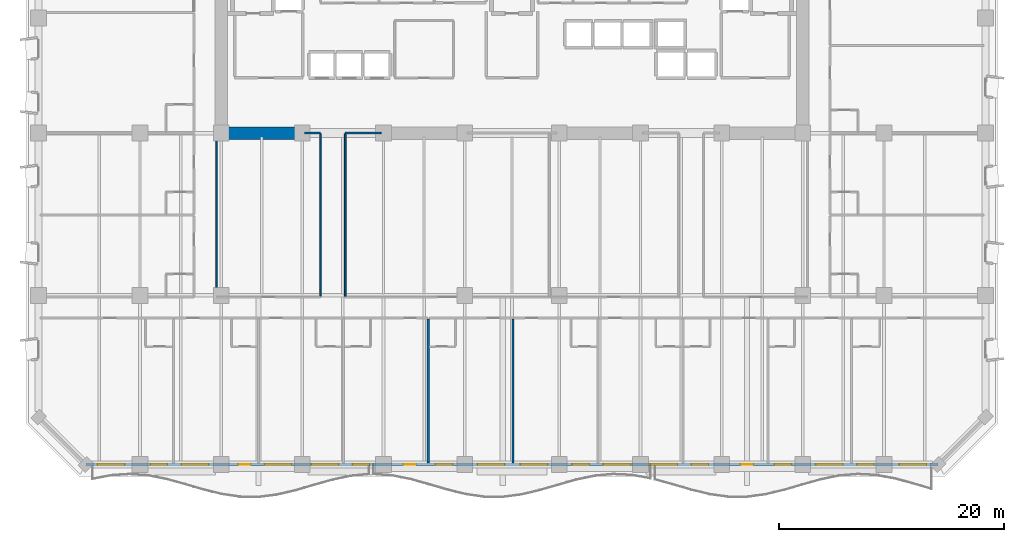
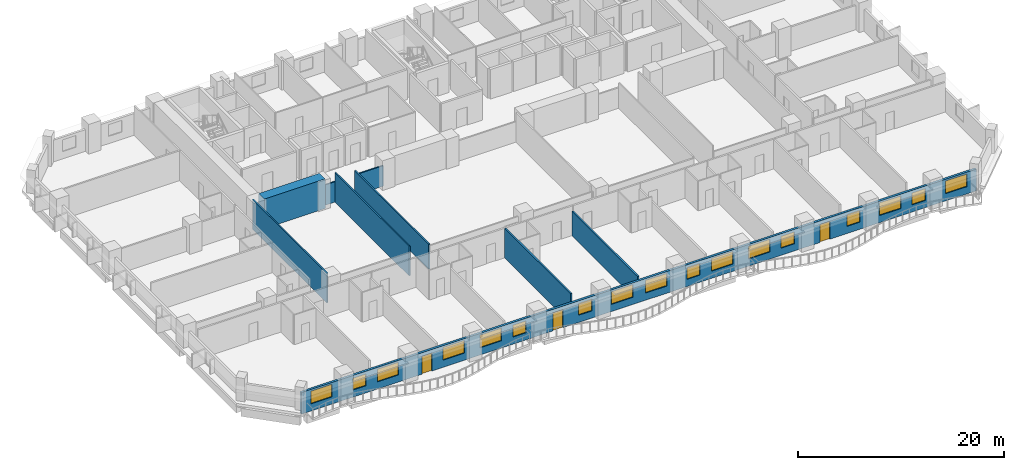
# One storey, part 5 of 15: 17 windows, 9 walls, 3 doors, 20 openings.
"""IFC4 building model written with IfcOpenShell, lengths in metres."""

from ifc_helpers import new_model, si_unit, direction, frame, frame_2d, origin, place, context, subcontext, project, spatial, rectangle, extrude, material, layer, layer_set, type_object, element, fill, save


model = new_model("IFC4")

# Units and contexts
model_context = context("Model", 3, precision=1e-05, world=origin(), true_north=direction((0.0, 1.0)))
body_context = subcontext(model_context, "Body", "Model", "MODEL_VIEW")
ifc_project = project(units=[si_unit("LENGTHUNIT", "METRE"), si_unit("AREAUNIT", "SQUARE_METRE"), si_unit("VOLUMEUNIT", "CUBIC_METRE"), si_unit("PLANEANGLEUNIT", "RADIAN"), si_unit("MASSUNIT", "GRAM", prefix="KILO")], contexts=[model_context])

# Site, building, storey
site_placement = place(None, origin())
site = spatial("IfcSite", under=ifc_project, at=site_placement, CompositionType="ELEMENT")
building_placement = place(site_placement, origin())
building = spatial("IfcBuilding", under=site, at=building_placement, Name="Kaelvorn Grand Hotel", CompositionType="ELEMENT")
storey_placement = place(building_placement, frame((0.0, 0.0, 61.39990234375)))
storey = spatial("IfcBuildingStorey", under=building, at=storey_placement, Name="L13", CompositionType="ELEMENT", Elevation=61.39990234375)

# Wall
ifc_material_1 = material(Name="Concrete C80/95", Category="concrete")
ifc_layer_1 = layer(ifc_material_1, 1.10009765625)
ifc_layer_set_1 = layer_set([ifc_layer_1], Name="Concrete C80/95")
wall_type_1 = type_object("IfcWallType", Name="WL-CORE-1100-C80", PredefinedType="SHEAR", material=ifc_layer_set_1)
wall_1_placement = place(storey_placement, frame((16.7548828125, 29.39990234375, 0.0), z_axis=(0.0, 0.0, 1.0), x_axis=(1.0, 0.0, 0.0)))
element("IfcWall", 1, at=wall_1_placement, inside=storey, type_object=wall_type_1, Name="L13 Rear-Core Coupled Shear Pier S1", PredefinedType="SHEAR", context=body_context, shape_type="SweptSolid", body=[
    extrude(rectangle(XDim=6.84521484375, YDim=1.10009765625, at=frame_2d((3.422607421875, 0.0))), origin(), (0.0, 0.0, 1.0), 3.510009765625),
])

# Wall, openings, doors, windows
ifc_material_2 = material(Name="Concrete C40/50", Category="concrete")
ifc_layer_2 = layer(ifc_material_2, 0.260009765625)
ifc_layer_set_2 = layer_set([ifc_layer_2], Name="Concrete C40/50")
wall_type_2 = type_object("IfcWallType", Name="WL-EXT-260-C40", PredefinedType="SOLIDWALL", material=ifc_layer_set_2)
wall_2_placement = place(storey_placement, frame((4.199951171875, 0.0, 0.0), z_axis=(0.0, 0.0, 1.0), x_axis=(1.0, 0.0, 0.0)))
wall_2 = element("IfcWall", 2, at=wall_2_placement, inside=storey, type_object=wall_type_2, Name="L13 Exterior Architectural Concrete Wall 01", PredefinedType="SOLIDWALL", context=body_context, shape_type="SweptSolid", body=[
    extrude(rectangle(XDim=75.60009765625, YDim=0.260009765625, at=frame_2d((37.800048828125, 0.0))), origin(), (0.0, 0.0, 1.0), 2.56005859375),
])
opening_1_placement = place(wall_2_placement, frame((13.5166015625, 0.0, 0.0)))
opening_1 = element("IfcOpeningElement", 3, at=opening_1_placement, cuts=wall_2, Name="Opening DE2", PredefinedType="OPENING", context=body_context, shape_type="SweptSolid", body=[
    extrude(rectangle(XDim=1.10009765625, YDim=2.14990234375, at=frame_2d((0.550048828125, 1.074951171875))), frame((0.0, 0.14013671875, 0.0), z_axis=(0.0, -1.0, 0.0), x_axis=(1.0, 0.0, 0.0)), (0.0, 0.0, 1.0), 0.280029296875),
])
opening_2_placement = place(wall_2_placement, frame((28.183349609375, 0.0, 0.0)))
opening_2 = element("IfcOpeningElement", 4, at=opening_2_placement, cuts=wall_2, Name="Opening DE2", PredefinedType="OPENING", context=body_context, shape_type="SweptSolid", body=[
    extrude(rectangle(XDim=1.10009765625, YDim=2.14990234375, at=frame_2d((0.550048828125, 1.074951171875))), frame((0.0, 0.14013671875, 0.0), z_axis=(0.0, -1.0, 0.0), x_axis=(1.0, 0.0, 0.0)), (0.0, 0.0, 1.0), 0.280029296875),
])
opening_3_placement = place(wall_2_placement, frame((58.094482421875, 0.0, 0.0)))
opening_3 = element("IfcOpeningElement", 5, at=opening_3_placement, cuts=wall_2, Name="Opening DE2", PredefinedType="OPENING", context=body_context, shape_type="SweptSolid", body=[
    extrude(rectangle(XDim=1.10009765625, YDim=2.14990234375, at=frame_2d((0.550048828125, 1.074951171875))), frame((0.0, 0.14013671875, 0.0), z_axis=(0.0, -1.0, 0.0), x_axis=(1.0, 0.0, 0.0)), (0.0, 0.0, 1.0), 0.280029296875),
])
opening_4_placement = place(wall_2_placement, frame((1.034912109375, 0.0, 0.85009765625)))
opening_4 = element("IfcOpeningElement", 6, at=opening_4_placement, cuts=wall_2, Name="Opening W6", PredefinedType="OPENING", context=body_context, shape_type="SweptSolid", body=[
    extrude(rectangle(XDim=2.39990234375, YDim=1.5, at=frame_2d((1.199951171875, 0.75))), frame((0.0, 0.14013671875, 0.0), z_axis=(0.0, -1.0, 0.0), x_axis=(1.0, 0.0, 0.0)), (0.0, 0.0, 1.0), 0.280029296875),
])
opening_5_placement = place(wall_2_placement, frame((5.739990234375, 0.0, 0.85009765625)))
opening_5 = element("IfcOpeningElement", 7, at=opening_5_placement, cuts=wall_2, Name="Opening W10", PredefinedType="OPENING", context=body_context, shape_type="SweptSolid", body=[
    extrude(rectangle(XDim=1.5, YDim=1.39990234375, at=frame_2d((0.75, 0.699951171875))), frame((0.0, 0.14013671875, 0.0), z_axis=(0.0, -1.0, 0.0), x_axis=(1.0, 0.0, 0.0)), (0.0, 0.0, 1.0), 0.280029296875),
])
opening_6_placement = place(wall_2_placement, frame((8.489990234375, 0.0, 0.85009765625)))
opening_6 = element("IfcOpeningElement", 8, at=opening_6_placement, cuts=wall_2, Name="Opening W6", PredefinedType="OPENING", context=body_context, shape_type="SweptSolid", body=[
    extrude(rectangle(XDim=2.39990234375, YDim=1.5, at=frame_2d((1.199951171875, 0.75))), frame((0.0, 0.14013671875, 0.0), z_axis=(0.0, -1.0, 0.0), x_axis=(1.0, 0.0, 0.0)), (0.0, 0.0, 1.0), 0.280029296875),
])
opening_7_placement = place(wall_2_placement, frame((15.85498046875, 0.0, 0.85009765625)))
opening_7 = element("IfcOpeningElement", 9, at=opening_7_placement, cuts=wall_2, Name="Opening W6", PredefinedType="OPENING", context=body_context, shape_type="SweptSolid", body=[
    extrude(rectangle(XDim=2.39990234375, YDim=1.5, at=frame_2d((1.199951171875, 0.75))), frame((0.0, 0.14013671875, 0.0), z_axis=(0.0, -1.0, 0.0), x_axis=(1.0, 0.0, 0.0)), (0.0, 0.0, 1.0), 0.280029296875),
])
opening_8_placement = place(wall_2_placement, frame((20.02001953125, 0.0, 0.85009765625)))
opening_8 = element("IfcOpeningElement", 10, at=opening_8_placement, cuts=wall_2, Name="Opening W6", PredefinedType="OPENING", context=body_context, shape_type="SweptSolid", body=[
    extrude(rectangle(XDim=2.39990234375, YDim=1.5, at=frame_2d((1.199951171875, 0.75))), frame((0.0, 0.14013671875, 0.0), z_axis=(0.0, -1.0, 0.0), x_axis=(1.0, 0.0, 0.0)), (0.0, 0.0, 1.0), 0.280029296875),
])
opening_9_placement = place(wall_2_placement, frame((23.669921875, 0.0, 0.85009765625)))
opening_9 = element("IfcOpeningElement", 11, at=opening_9_placement, cuts=wall_2, Name="Opening W10", PredefinedType="OPENING", context=body_context, shape_type="SweptSolid", body=[
    extrude(rectangle(XDim=1.5, YDim=1.39990234375, at=frame_2d((0.75, 0.699951171875))), frame((0.0, 0.14013671875, 0.0), z_axis=(0.0, -1.0, 0.0), x_axis=(1.0, 0.0, 0.0)), (0.0, 0.0, 1.0), 0.280029296875),
])
opening_10_placement = place(wall_2_placement, frame((31.034912109375, 0.0, 0.85009765625)))
opening_10 = element("IfcOpeningElement", 12, at=opening_10_placement, cuts=wall_2, Name="Opening W10", PredefinedType="OPENING", context=body_context, shape_type="SweptSolid", body=[
    extrude(rectangle(XDim=1.5, YDim=1.39990234375, at=frame_2d((0.75, 0.699951171875))), frame((0.0, 0.14013671875, 0.0), z_axis=(0.0, -1.0, 0.0), x_axis=(1.0, 0.0, 0.0)), (0.0, 0.0, 1.0), 0.280029296875),
])
opening_11_placement = place(wall_2_placement, frame((34.75, 0.0, 0.85009765625)))
opening_11 = element("IfcOpeningElement", 13, at=opening_11_placement, cuts=wall_2, Name="Opening W6", PredefinedType="OPENING", context=body_context, shape_type="SweptSolid", body=[
    extrude(rectangle(XDim=2.39990234375, YDim=1.5, at=frame_2d((1.199951171875, 0.75))), frame((0.0, 0.14013671875, 0.0), z_axis=(0.0, -1.0, 0.0), x_axis=(1.0, 0.0, 0.0)), (0.0, 0.0, 1.0), 0.280029296875),
])
opening_12_placement = place(wall_2_placement, frame((38.550048828125, 0.0, 0.85009765625)))
opening_12 = element("IfcOpeningElement", 14, at=opening_12_placement, cuts=wall_2, Name="Opening W6", PredefinedType="OPENING", context=body_context, shape_type="SweptSolid", body=[
    extrude(rectangle(XDim=2.39990234375, YDim=1.5, at=frame_2d((1.199951171875, 0.75))), frame((0.0, 0.14013671875, 0.0), z_axis=(0.0, -1.0, 0.0), x_axis=(1.0, 0.0, 0.0)), (0.0, 0.0, 1.0), 0.280029296875),
])
opening_13_placement = place(wall_2_placement, frame((43.1650390625, 0.0, 0.85009765625)))
opening_13 = element("IfcOpeningElement", 15, at=opening_13_placement, cuts=wall_2, Name="Opening W10", PredefinedType="OPENING", context=body_context, shape_type="SweptSolid", body=[
    extrude(rectangle(XDim=1.5, YDim=1.39990234375, at=frame_2d((0.75, 0.699951171875))), frame((0.0, 0.14013671875, 0.0), z_axis=(0.0, -1.0, 0.0), x_axis=(1.0, 0.0, 0.0)), (0.0, 0.0, 1.0), 0.280029296875),
])
opening_14_placement = place(wall_2_placement, frame((45.9150390625, 0.0, 0.85009765625)))
opening_14 = element("IfcOpeningElement", 16, at=opening_14_placement, cuts=wall_2, Name="Opening W6", PredefinedType="OPENING", context=body_context, shape_type="SweptSolid", body=[
    extrude(rectangle(XDim=2.39990234375, YDim=1.5, at=frame_2d((1.199951171875, 0.75))), frame((0.0, 0.14013671875, 0.0), z_axis=(0.0, -1.0, 0.0), x_axis=(1.0, 0.0, 0.0)), (0.0, 0.0, 1.0), 0.280029296875),
])
opening_15_placement = place(wall_2_placement, frame((50.08056640625, 0.0, 0.85009765625)))
opening_15 = element("IfcOpeningElement", 17, at=opening_15_placement, cuts=wall_2, Name="Opening W6", PredefinedType="OPENING", context=body_context, shape_type="SweptSolid", body=[
    extrude(rectangle(XDim=2.39990234375, YDim=1.5, at=frame_2d((1.199951171875, 0.75))), frame((0.0, 0.14013671875, 0.0), z_axis=(0.0, -1.0, 0.0), x_axis=(1.0, 0.0, 0.0)), (0.0, 0.0, 1.0), 0.280029296875),
])
opening_16_placement = place(wall_2_placement, frame((53.73046875, 0.0, 0.85009765625)))
opening_16 = element("IfcOpeningElement", 18, at=opening_16_placement, cuts=wall_2, Name="Opening W10", PredefinedType="OPENING", context=body_context, shape_type="SweptSolid", body=[
    extrude(rectangle(XDim=1.5, YDim=1.39990234375, at=frame_2d((0.75, 0.699951171875))), frame((0.0, 0.14013671875, 0.0), z_axis=(0.0, -1.0, 0.0), x_axis=(1.0, 0.0, 0.0)), (0.0, 0.0, 1.0), 0.280029296875),
])
opening_17_placement = place(wall_2_placement, frame((61.095458984375, 0.0, 0.85009765625)))
opening_17 = element("IfcOpeningElement", 19, at=opening_17_placement, cuts=wall_2, Name="Opening W10", PredefinedType="OPENING", context=body_context, shape_type="SweptSolid", body=[
    extrude(rectangle(XDim=1.5, YDim=1.39990234375, at=frame_2d((0.75, 0.699951171875))), frame((0.0, 0.14013671875, 0.0), z_axis=(0.0, -1.0, 0.0), x_axis=(1.0, 0.0, 0.0)), (0.0, 0.0, 1.0), 0.280029296875),
])
opening_18_placement = place(wall_2_placement, frame((64.760009765625, 0.0, 0.85009765625)))
opening_18 = element("IfcOpeningElement", 20, at=opening_18_placement, cuts=wall_2, Name="Opening W6", PredefinedType="OPENING", context=body_context, shape_type="SweptSolid", body=[
    extrude(rectangle(XDim=2.39990234375, YDim=1.5, at=frame_2d((1.199951171875, 0.75))), frame((0.0, 0.14013671875, 0.0), z_axis=(0.0, -1.0, 0.0), x_axis=(1.0, 0.0, 0.0)), (0.0, 0.0, 1.0), 0.280029296875),
])
opening_19_placement = place(wall_2_placement, frame((68.409912109375, 0.0, 0.85009765625)))
opening_19 = element("IfcOpeningElement", 21, at=opening_19_placement, cuts=wall_2, Name="Opening W10", PredefinedType="OPENING", context=body_context, shape_type="SweptSolid", body=[
    extrude(rectangle(XDim=1.5, YDim=1.39990234375, at=frame_2d((0.75, 0.699951171875))), frame((0.0, 0.14013671875, 0.0), z_axis=(0.0, -1.0, 0.0), x_axis=(1.0, 0.0, 0.0)), (0.0, 0.0, 1.0), 0.280029296875),
])
opening_20_placement = place(wall_2_placement, frame((72.1650390625, 0.0, 0.85009765625)))
opening_20 = element("IfcOpeningElement", 22, at=opening_20_placement, cuts=wall_2, Name="Opening W6", PredefinedType="OPENING", context=body_context, shape_type="SweptSolid", body=[
    extrude(rectangle(XDim=2.39990234375, YDim=1.5, at=frame_2d((1.199951171875, 0.75))), frame((0.0, 0.14013671875, 0.0), z_axis=(0.0, -1.0, 0.0), x_axis=(1.0, 0.0, 0.0)), (0.0, 0.0, 1.0), 0.280029296875),
])
ifc_material_3 = material(Name="Anodised Aluminium", Category="aluminium")
door_type = type_object("IfcDoorType", Name="DR-EXT-BALC-1100x2150", OperationType="NOTDEFINED", PredefinedType="DOOR", material=ifc_material_3)
door_1_placement = place(opening_1_placement, origin())
door_1 = element("IfcDoor", 23, at=door_1_placement, inside=storey, type_object=door_type, Name="L13 Scalloped Balcony Glazed Door DE2-1", OperationType="SINGLE_SWING_RIGHT", OverallHeight=2.14990234375, OverallWidth=1.10009765625, PredefinedType="DOOR", context=body_context, shape_type="SweptSolid", body=[
    extrude(rectangle(XDim=1.10009765625, YDim=2.14990234375, at=frame_2d((0.550048828125, 1.074951171875))), frame((0.0, 0.02490234375, 0.0), z_axis=(0.0, -1.0, 0.0), x_axis=(1.0, 0.0, 0.0)), (0.0, 0.0, 1.0), 0.050048828125),
])
fill(opening_1, door_1)
door_2_placement = place(opening_2_placement, origin())
door_2 = element("IfcDoor", 24, at=door_2_placement, inside=storey, type_object=door_type, Name="L13 Scalloped Balcony Glazed Door DE2-2", OperationType="SINGLE_SWING_LEFT", OverallHeight=2.14990234375, OverallWidth=1.10009765625, PredefinedType="DOOR", context=body_context, shape_type="SweptSolid", body=[
    extrude(rectangle(XDim=1.10009765625, YDim=2.14990234375, at=frame_2d((0.550048828125, 1.074951171875))), frame((0.0, 0.02490234375, 0.0), z_axis=(0.0, -1.0, 0.0), x_axis=(1.0, 0.0, 0.0)), (0.0, 0.0, 1.0), 0.050048828125),
])
fill(opening_2, door_2)
door_3_placement = place(opening_3_placement, origin())
door_3 = element("IfcDoor", 25, at=door_3_placement, inside=storey, type_object=door_type, Name="L13 Scalloped Balcony Glazed Door DE2-3", OperationType="SINGLE_SWING_RIGHT", OverallHeight=2.14990234375, OverallWidth=1.10009765625, PredefinedType="DOOR", context=body_context, shape_type="SweptSolid", body=[
    extrude(rectangle(XDim=1.10009765625, YDim=2.14990234375, at=frame_2d((0.550048828125, 1.074951171875))), frame((0.0, 0.02490234375, 0.0), z_axis=(0.0, -1.0, 0.0), x_axis=(1.0, 0.0, 0.0)), (0.0, 0.0, 1.0), 0.050048828125),
])
fill(opening_3, door_3)
ifc_material_4 = material(Name="Laminated Low-E Glass", Category="glass")
window_type_1 = type_object("IfcWindowType", Name="WIN-COR-1500x1400", PartitioningType="SINGLE_PANEL", PredefinedType="WINDOW", material=ifc_material_4)
window_1_placement = place(opening_5_placement, origin())
window_1 = element("IfcWindow", 26, at=window_1_placement, inside=storey, type_object=window_type_1, Name="L13 South Guestroom Ribbon Window SR02", OverallHeight=1.39990234375, OverallWidth=1.5, PartitioningType="SINGLE_PANEL", PredefinedType="WINDOW", context=body_context, shape_type="SweptSolid", body=[
    extrude(rectangle(XDim=1.5, YDim=1.39990234375, at=frame_2d((0.75, 0.699951171875))), frame((0.0, 0.030029296875, 0.0), z_axis=(0.0, -1.0, 0.0), x_axis=(1.0, 0.0, 0.0)), (0.0, 0.0, 1.0), 0.06005859375),
])
fill(opening_5, window_1)
window_2_placement = place(opening_9_placement, origin())
window_2 = element("IfcWindow", 27, at=window_2_placement, inside=storey, type_object=window_type_1, Name="L13 South Guestroom Ribbon Window SR06", OverallHeight=1.39990234375, OverallWidth=1.5, PartitioningType="SINGLE_PANEL", PredefinedType="WINDOW", context=body_context, shape_type="SweptSolid", body=[
    extrude(rectangle(XDim=1.5, YDim=1.39990234375, at=frame_2d((0.75, 0.699951171875))), frame((0.0, 0.030029296875, 0.0), z_axis=(0.0, -1.0, 0.0), x_axis=(1.0, 0.0, 0.0)), (0.0, 0.0, 1.0), 0.06005859375),
])
fill(opening_9, window_2)
window_3_placement = place(opening_10_placement, origin())
window_3 = element("IfcWindow", 28, at=window_3_placement, inside=storey, type_object=window_type_1, Name="L13 South Guestroom Ribbon Window SR07", OverallHeight=1.39990234375, OverallWidth=1.5, PartitioningType="SINGLE_PANEL", PredefinedType="WINDOW", context=body_context, shape_type="SweptSolid", body=[
    extrude(rectangle(XDim=1.5, YDim=1.39990234375, at=frame_2d((0.75, 0.699951171875))), frame((0.0, 0.030029296875, 0.0), z_axis=(0.0, -1.0, 0.0), x_axis=(1.0, 0.0, 0.0)), (0.0, 0.0, 1.0), 0.06005859375),
])
fill(opening_10, window_3)
window_4_placement = place(opening_13_placement, origin())
window_4 = element("IfcWindow", 29, at=window_4_placement, inside=storey, type_object=window_type_1, Name="L13 South Guestroom Ribbon Window SR10", OverallHeight=1.39990234375, OverallWidth=1.5, PartitioningType="SINGLE_PANEL", PredefinedType="WINDOW", context=body_context, shape_type="SweptSolid", body=[
    extrude(rectangle(XDim=1.5, YDim=1.39990234375, at=frame_2d((0.75, 0.699951171875))), frame((0.0, 0.030029296875, 0.0), z_axis=(0.0, -1.0, 0.0), x_axis=(1.0, 0.0, 0.0)), (0.0, 0.0, 1.0), 0.06005859375),
])
fill(opening_13, window_4)
window_5_placement = place(opening_16_placement, origin())
window_5 = element("IfcWindow", 30, at=window_5_placement, inside=storey, type_object=window_type_1, Name="L13 South Guestroom Ribbon Window SR13", OverallHeight=1.39990234375, OverallWidth=1.5, PartitioningType="SINGLE_PANEL", PredefinedType="WINDOW", context=body_context, shape_type="SweptSolid", body=[
    extrude(rectangle(XDim=1.5, YDim=1.39990234375, at=frame_2d((0.75, 0.699951171875))), frame((0.0, 0.030029296875, 0.0), z_axis=(0.0, -1.0, 0.0), x_axis=(1.0, 0.0, 0.0)), (0.0, 0.0, 1.0), 0.06005859375),
])
fill(opening_16, window_5)
window_6_placement = place(opening_17_placement, origin())
window_6 = element("IfcWindow", 31, at=window_6_placement, inside=storey, type_object=window_type_1, Name="L13 South Guestroom Ribbon Window SR14", OverallHeight=1.39990234375, OverallWidth=1.5, PartitioningType="SINGLE_PANEL", PredefinedType="WINDOW", context=body_context, shape_type="SweptSolid", body=[
    extrude(rectangle(XDim=1.5, YDim=1.39990234375, at=frame_2d((0.75, 0.699951171875))), frame((0.0, 0.030029296875, 0.0), z_axis=(0.0, -1.0, 0.0), x_axis=(1.0, 0.0, 0.0)), (0.0, 0.0, 1.0), 0.06005859375),
])
fill(opening_17, window_6)
window_7_placement = place(opening_19_placement, origin())
window_7 = element("IfcWindow", 32, at=window_7_placement, inside=storey, type_object=window_type_1, Name="L13 South Guestroom Ribbon Window SR16", OverallHeight=1.39990234375, OverallWidth=1.5, PartitioningType="SINGLE_PANEL", PredefinedType="WINDOW", context=body_context, shape_type="SweptSolid", body=[
    extrude(rectangle(XDim=1.5, YDim=1.39990234375, at=frame_2d((0.75, 0.699951171875))), frame((0.0, 0.030029296875, 0.0), z_axis=(0.0, -1.0, 0.0), x_axis=(1.0, 0.0, 0.0)), (0.0, 0.0, 1.0), 0.06005859375),
])
fill(opening_19, window_7)
window_type_2 = type_object("IfcWindowType", Name="WIN-NTH-2400x1500", PartitioningType="SINGLE_PANEL", PredefinedType="WINDOW", material=ifc_material_4)
window_8_placement = place(opening_4_placement, origin())
window_8 = element("IfcWindow", 33, at=window_8_placement, inside=storey, type_object=window_type_2, Name="L13 South Guestroom Ribbon Window SR01", OverallHeight=1.5, OverallWidth=2.39990234375, PartitioningType="SINGLE_PANEL", PredefinedType="WINDOW", context=body_context, shape_type="SweptSolid", body=[
    extrude(rectangle(XDim=2.39990234375, YDim=1.5, at=frame_2d((1.199951171875, 0.75))), frame((0.0, 0.030029296875, 0.0), z_axis=(0.0, -1.0, 0.0), x_axis=(1.0, 0.0, 0.0)), (0.0, 0.0, 1.0), 0.06005859375),
])
fill(opening_4, window_8)
window_9_placement = place(opening_6_placement, origin())
window_9 = element("IfcWindow", 34, at=window_9_placement, inside=storey, type_object=window_type_2, Name="L13 South Guestroom Ribbon Window SR03", OverallHeight=1.5, OverallWidth=2.39990234375, PartitioningType="SINGLE_PANEL", PredefinedType="WINDOW", context=body_context, shape_type="SweptSolid", body=[
    extrude(rectangle(XDim=2.39990234375, YDim=1.5, at=frame_2d((1.199951171875, 0.75))), frame((0.0, 0.030029296875, 0.0), z_axis=(0.0, -1.0, 0.0), x_axis=(1.0, 0.0, 0.0)), (0.0, 0.0, 1.0), 0.06005859375),
])
fill(opening_6, window_9)
window_10_placement = place(opening_7_placement, origin())
window_10 = element("IfcWindow", 35, at=window_10_placement, inside=storey, type_object=window_type_2, Name="L13 South Guestroom Ribbon Window SR04", OverallHeight=1.5, OverallWidth=2.39990234375, PartitioningType="SINGLE_PANEL", PredefinedType="WINDOW", context=body_context, shape_type="SweptSolid", body=[
    extrude(rectangle(XDim=2.39990234375, YDim=1.5, at=frame_2d((1.199951171875, 0.75))), frame((0.0, 0.030029296875, 0.0), z_axis=(0.0, -1.0, 0.0), x_axis=(1.0, 0.0, 0.0)), (0.0, 0.0, 1.0), 0.06005859375),
])
fill(opening_7, window_10)
window_11_placement = place(opening_8_placement, origin())
window_11 = element("IfcWindow", 36, at=window_11_placement, inside=storey, type_object=window_type_2, Name="L13 South Guestroom Ribbon Window SR05", OverallHeight=1.5, OverallWidth=2.39990234375, PartitioningType="SINGLE_PANEL", PredefinedType="WINDOW", context=body_context, shape_type="SweptSolid", body=[
    extrude(rectangle(XDim=2.39990234375, YDim=1.5, at=frame_2d((1.199951171875, 0.75))), frame((0.0, 0.030029296875, 0.0), z_axis=(0.0, -1.0, 0.0), x_axis=(1.0, 0.0, 0.0)), (0.0, 0.0, 1.0), 0.06005859375),
])
fill(opening_8, window_11)
window_12_placement = place(opening_11_placement, origin())
window_12 = element("IfcWindow", 37, at=window_12_placement, inside=storey, type_object=window_type_2, Name="L13 South Guestroom Ribbon Window SR08", OverallHeight=1.5, OverallWidth=2.39990234375, PartitioningType="SINGLE_PANEL", PredefinedType="WINDOW", context=body_context, shape_type="SweptSolid", body=[
    extrude(rectangle(XDim=2.39990234375, YDim=1.5, at=frame_2d((1.199951171875, 0.75))), frame((0.0, 0.030029296875, 0.0), z_axis=(0.0, -1.0, 0.0), x_axis=(1.0, 0.0, 0.0)), (0.0, 0.0, 1.0), 0.06005859375),
])
fill(opening_11, window_12)
window_13_placement = place(opening_12_placement, origin())
window_13 = element("IfcWindow", 38, at=window_13_placement, inside=storey, type_object=window_type_2, Name="L13 South Guestroom Ribbon Window SR09", OverallHeight=1.5, OverallWidth=2.39990234375, PartitioningType="SINGLE_PANEL", PredefinedType="WINDOW", context=body_context, shape_type="SweptSolid", body=[
    extrude(rectangle(XDim=2.39990234375, YDim=1.5, at=frame_2d((1.199951171875, 0.75))), frame((0.0, 0.030029296875, 0.0), z_axis=(0.0, -1.0, 0.0), x_axis=(1.0, 0.0, 0.0)), (0.0, 0.0, 1.0), 0.06005859375),
])
fill(opening_12, window_13)
window_14_placement = place(opening_14_placement, origin())
window_14 = element("IfcWindow", 39, at=window_14_placement, inside=storey, type_object=window_type_2, Name="L13 South Guestroom Ribbon Window SR11", OverallHeight=1.5, OverallWidth=2.39990234375, PartitioningType="SINGLE_PANEL", PredefinedType="WINDOW", context=body_context, shape_type="SweptSolid", body=[
    extrude(rectangle(XDim=2.39990234375, YDim=1.5, at=frame_2d((1.199951171875, 0.75))), frame((0.0, 0.030029296875, 0.0), z_axis=(0.0, -1.0, 0.0), x_axis=(1.0, 0.0, 0.0)), (0.0, 0.0, 1.0), 0.06005859375),
])
fill(opening_14, window_14)
window_15_placement = place(opening_15_placement, origin())
window_15 = element("IfcWindow", 40, at=window_15_placement, inside=storey, type_object=window_type_2, Name="L13 South Guestroom Ribbon Window SR12", OverallHeight=1.5, OverallWidth=2.39990234375, PartitioningType="SINGLE_PANEL", PredefinedType="WINDOW", context=body_context, shape_type="SweptSolid", body=[
    extrude(rectangle(XDim=2.39990234375, YDim=1.5, at=frame_2d((1.199951171875, 0.75))), frame((0.0, 0.030029296875, 0.0), z_axis=(0.0, -1.0, 0.0), x_axis=(1.0, 0.0, 0.0)), (0.0, 0.0, 1.0), 0.06005859375),
])
fill(opening_15, window_15)
window_16_placement = place(opening_18_placement, origin())
window_16 = element("IfcWindow", 41, at=window_16_placement, inside=storey, type_object=window_type_2, Name="L13 South Guestroom Ribbon Window SR15", OverallHeight=1.5, OverallWidth=2.39990234375, PartitioningType="SINGLE_PANEL", PredefinedType="WINDOW", context=body_context, shape_type="SweptSolid", body=[
    extrude(rectangle(XDim=2.39990234375, YDim=1.5, at=frame_2d((1.199951171875, 0.75))), frame((0.0, 0.030029296875, 0.0), z_axis=(0.0, -1.0, 0.0), x_axis=(1.0, 0.0, 0.0)), (0.0, 0.0, 1.0), 0.06005859375),
])
fill(opening_18, window_16)
window_17_placement = place(opening_20_placement, origin())
window_17 = element("IfcWindow", 42, at=window_17_placement, inside=storey, type_object=window_type_2, Name="L13 South Guestroom Ribbon Window SR17", OverallHeight=1.5, OverallWidth=2.39990234375, PartitioningType="SINGLE_PANEL", PredefinedType="WINDOW", context=body_context, shape_type="SweptSolid", body=[
    extrude(rectangle(XDim=2.39990234375, YDim=1.5, at=frame_2d((1.199951171875, 0.75))), frame((0.0, 0.030029296875, 0.0), z_axis=(0.0, -1.0, 0.0), x_axis=(1.0, 0.0, 0.0)), (0.0, 0.0, 1.0), 0.06005859375),
])
fill(opening_20, window_17)

# Walls
ifc_material_5 = material(Name="Acoustic Gypsum & Stud Partition")
ifc_layer_3 = layer(ifc_material_5, 0.14990234375)
ifc_layer_set_3 = layer_set([ifc_layer_3], Name="Acoustic Gypsum & Stud Partition")
wall_type_3 = type_object("IfcWallType", Name="WL-PART-150-EI60", PredefinedType="PARTITIONING", material=ifc_layer_set_3)
wall_3_placement = place(storey_placement, frame((23.610107421875, 29.39990234375, 0.0), z_axis=(0.0, 0.0, 1.0), x_axis=(1.0, 0.0, 0.0)))
element("IfcWall", 43, at=wall_3_placement, inside=storey, type_object=wall_type_3, Name="L13 Wellness Spa Salon N Partition", PredefinedType="PARTITIONING", context=body_context, shape_type="SweptSolid", body=[
    extrude(rectangle(XDim=1.389892578125, YDim=0.14990234375, at=frame_2d((0.69482421875, 0.0))), origin(), (0.0, 0.0, 1.0), 2.41015625),
])
wall_4_placement = place(storey_placement, frame((15.800048828125, 14.929931640625, 0.0), z_axis=(0.0, 0.0, 1.0), x_axis=(0.0, 1.0, 0.0)))
element("IfcWall", 44, at=wall_4_placement, inside=storey, type_object=wall_type_3, Name="L13 Wellness Spa Salon W Partition", PredefinedType="PARTITIONING", context=body_context, shape_type="SweptSolid", body=[
    extrude(rectangle(XDim=14.4599609375, YDim=0.14990234375, at=frame_2d((7.22998046875, 0.0))), origin(), (0.0, 0.0, 1.0), 3.510009765625),
])
wall_5_placement = place(storey_placement, frame((25.0, 14.929931640625, 0.0), z_axis=(0.0, 0.0, 1.0), x_axis=(0.0, 1.0, 0.0)))
element("IfcWall", 45, at=wall_5_placement, inside=storey, type_object=wall_type_3, Name="L13 Wellness Spa Salon E Partition", PredefinedType="PARTITIONING", context=body_context, shape_type="SweptSolid", body=[
    extrude(rectangle(XDim=14.39013671875, YDim=0.14990234375, at=frame_2d((7.195068359375, 0.0))), origin(), (0.0, 0.0, 1.0), 3.510009765625),
])
wall_6_placement = place(storey_placement, frame((27.199951171875, 29.39990234375, 0.0), z_axis=(0.0, 0.0, 1.0), x_axis=(1.0, 0.0, 0.0)))
element("IfcWall", 46, at=wall_6_placement, inside=storey, type_object=wall_type_3, Name="L13 Guest Pantry Kitchen N Partition (1)", PredefinedType="PARTITIONING", context=body_context, shape_type="SweptSolid", body=[
    extrude(rectangle(XDim=3.18994140625, YDim=0.14990234375, at=frame_2d((1.594970703125, 0.0))), origin(), (0.0, 0.0, 1.0), 2.41015625),
])
wall_7_placement = place(storey_placement, frame((27.199951171875, 14.929931640625, 0.0), z_axis=(0.0, 0.0, 1.0), x_axis=(0.0, 1.0, 0.0)))
element("IfcWall", 47, at=wall_7_placement, inside=storey, type_object=wall_type_3, Name="L13 Guest Pantry Kitchen W Partition", PredefinedType="PARTITIONING", context=body_context, shape_type="SweptSolid", body=[
    extrude(rectangle(XDim=14.39013671875, YDim=0.14990234375, at=frame_2d((7.195068359375, 0.0))), origin(), (0.0, 0.0, 1.0), 2.97705078125),
])
ifc_layer_4 = layer(ifc_material_5, 0.179931640625)
ifc_layer_set_4 = layer_set([ifc_layer_4], Name="Acoustic Gypsum & Stud Partition")
wall_type_4 = type_object("IfcWallType", Name="WL-PART-180-EI60", PredefinedType="PARTITIONING", material=ifc_layer_set_4)
wall_8_placement = place(storey_placement, frame((34.5703125, 0.14990234375, 0.0), z_axis=(0.0, 0.0, 1.0), x_axis=(0.0, 1.0, 0.0)))
element("IfcWall", 48, at=wall_8_placement, inside=storey, type_object=wall_type_4, Name="L13 Deluxe Panoramic Suite L13-04 E Partition", PredefinedType="PARTITIONING", context=body_context, shape_type="SweptSolid", body=[
    extrude(rectangle(XDim=12.755126953125, YDim=0.179931640625, at=frame_2d((6.37744140625, 0.0))), origin(), (0.0, 0.0, 1.0), 3.510009765625),
])
wall_9_placement = place(storey_placement, frame((42.100341796875, 0.14990234375, 0.0), z_axis=(0.0, 0.0, 1.0), x_axis=(0.0, 1.0, 0.0)))
element("IfcWall", 49, at=wall_9_placement, inside=storey, type_object=wall_type_4, Name="L13 Deluxe Panoramic Suite L13-05 E Partition", PredefinedType="PARTITIONING", context=body_context, shape_type="SweptSolid", body=[
    extrude(rectangle(XDim=12.755126953125, YDim=0.179931640625, at=frame_2d((6.37744140625, 0.0))), origin(), (0.0, 0.0, 1.0), 2.89794921875),
])

save(model, "model.ifc")
